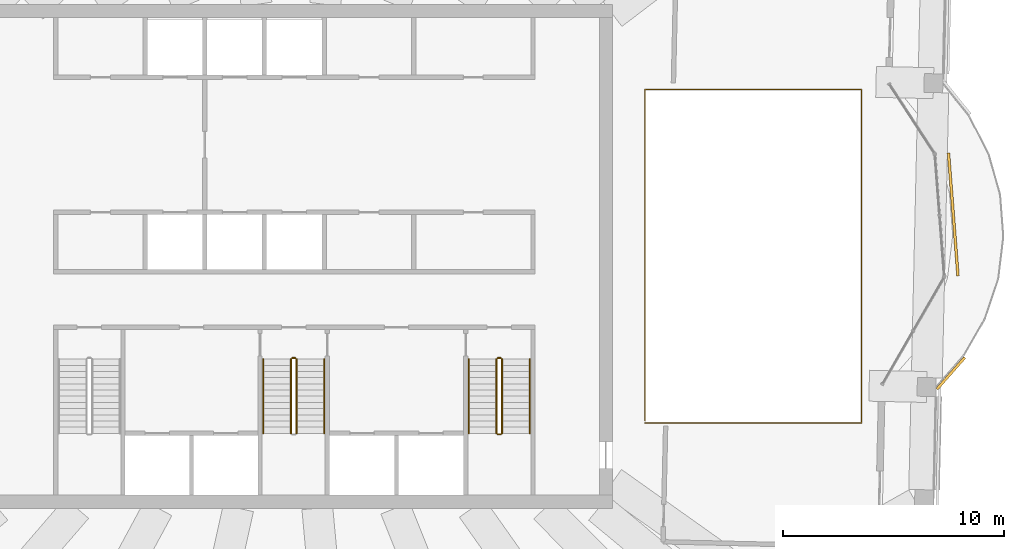
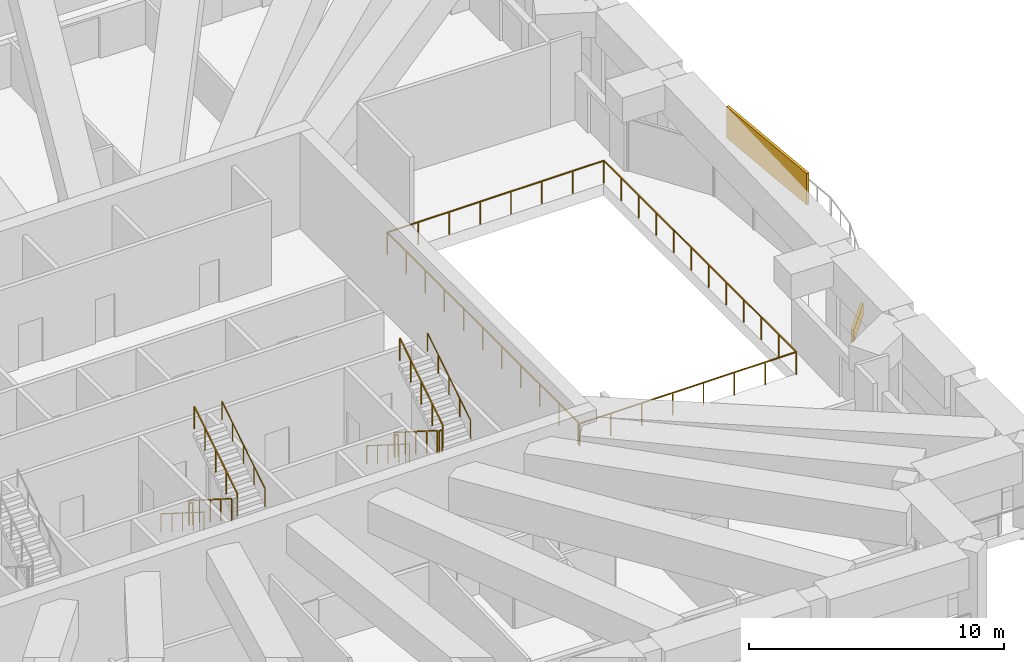
# One storey, part 18 of 21: 12 railings, 2 coverings.
"""IFC4 building model written with IfcOpenShell, lengths in metres."""

import ifcopenshell
import ifcopenshell.guid

model = None  # the IFC model being written
_history = None  # IfcOwnerHistory: only IFC2X3 demands one
_inside = {}  # id of a spatial element -> (the spatial element, [elements in it])
_under = {}  # id of a project, library or spatial element -> (it, [spatial elements below it])
_declared = {}  # id of a project -> (the project, [libraries it declares])
_typed = {}  # id of a type object -> (the type object, [elements of that type])
_made_of = {}  # id of a material, layer set ... -> (it, [elements and type objects made of it])


def new_model(schema):
    """Start an empty IFC model of exactly this schema.

    Asked for "IFC4X3", IfcOpenShell would pick the latest addendum, in which some entities
    have other attributes; the version numbers below select the first issue.
    IFC2X3 requires an IfcOwnerHistory on every rooted entity: one is made here for all.
    """
    global model, _history
    if schema == "IFC4X3":
        model = ifcopenshell.file(schema_version=(4, 3, 0, 0))
    else:
        model = ifcopenshell.file(schema=schema)
    _inside.clear()
    _under.clear()
    _declared.clear()
    _typed.clear()
    _made_of.clear()
    _history = None
    if model.schema == "IFC2X3":
        org = make("IfcOrganization", Name="unknown")
        user = make(
            "IfcPersonAndOrganization",
            ThePerson=make("IfcPerson", FamilyName="unknown"),
            TheOrganization=org,
        )
        app = make(
            "IfcApplication",
            ApplicationDeveloper=org,
            Version="unknown",
            ApplicationFullName="unknown",
            ApplicationIdentifier="unknown",
        )
        _history = make(
            "IfcOwnerHistory",
            OwningUser=user,
            OwningApplication=app,
            ChangeAction="ADDED",
            CreationDate=0,
        )
    return model


def make(cls, **values):
    """One entity of the class cls with the attributes given. An attribute that is None is left unset."""
    return model.create_entity(
        cls, **{name: value for name, value in values.items() if value is not None}
    )


def rooted(cls, **values):
    """An entity with a GlobalId (a new one), such as an element, a storey or a relation."""
    return make(cls, GlobalId=ifcopenshell.guid.new(), OwnerHistory=_history, **values)


def si_unit(unit_type, name, prefix=None):
    """IfcSIUnit, for example si_unit("LENGTHUNIT", "METRE", prefix="MILLI")."""
    return make("IfcSIUnit", UnitType=unit_type, Prefix=prefix, Name=name)


def assignment(units):
    """IfcUnitAssignment: the units of a project."""
    return None if units is None else make("IfcUnitAssignment", Units=units)


def point(xyz):
    """IfcCartesianPoint."""
    return None if xyz is None else make("IfcCartesianPoint", Coordinates=xyz)


def direction(xyz):
    """IfcDirection."""
    return None if xyz is None else make("IfcDirection", DirectionRatios=xyz)


def frame(location, z_axis=None, x_axis=None):
    """IfcAxis2Placement3D, a coordinate frame: its origin and axes. An axis left out is left unset."""
    return make(
        "IfcAxis2Placement3D",
        Location=point(location),
        Axis=direction(z_axis),
        RefDirection=direction(x_axis),
    )


def frame_2d(location, x_axis=None):
    """IfcAxis2Placement2D, a coordinate frame in the plane: its origin and x axis."""
    return make(
        "IfcAxis2Placement2D", Location=point(location), RefDirection=direction(x_axis)
    )


def origin():
    """The frame at (0, 0, 0) with its axes left unset."""
    return frame((0.0, 0.0, 0.0))


def origin_2d():
    """The frame at (0, 0) in the plane with its x axis left unset."""
    return frame_2d((0.0, 0.0))


def place(relative_to, where):
    """IfcLocalPlacement: puts the frame where relative to a parent placement (None: the world)."""
    return make(
        "IfcLocalPlacement", PlacementRelTo=relative_to, RelativePlacement=where
    )


def context(
    kind, dimensions, precision=None, world=None, true_north=None, identifier=None
):
    """IfcGeometricRepresentationContext, for example the 3D "Model" context."""
    return make(
        "IfcGeometricRepresentationContext",
        ContextIdentifier=identifier,
        ContextType=kind,
        CoordinateSpaceDimension=dimensions,
        Precision=precision,
        WorldCoordinateSystem=world,
        TrueNorth=true_north,
    )


def subcontext(parent, identifier, kind, view, scale=None):
    """IfcGeometricRepresentationSubContext, for example "Body" below "Model"."""
    return make(
        "IfcGeometricRepresentationSubContext",
        ContextIdentifier=identifier,
        ContextType=kind,
        ParentContext=parent,
        TargetScale=scale,
        TargetView=view,
    )


def project(units=None, contexts=None):
    """IfcProject with its units and contexts."""
    return rooted(
        "IfcProject",
        Name="project",
        RepresentationContexts=contexts,
        UnitsInContext=assignment(units),
    )


def spatial(cls, under=None, at=None, **own):
    """A site, building, storey or space (cls), placed at a placement, below another one or the project."""
    s = rooted(cls, ObjectPlacement=at, **own)
    if under is not None:
        _under.setdefault(under.id(), (under, []))[1].append(s)
    return s


def profile(cls, at=None, kind="AREA", **sizes):
    """A parametric profile (cls). Its sizes go by their IFC names, for example OverallWidth=200.0."""
    return make(cls, ProfileType=kind, Position=at, **sizes)


def rectangle(**sizes):
    """IfcRectangleProfileDef."""
    return profile("IfcRectangleProfileDef", **sizes)


def circle(**sizes):
    """IfcCircleProfileDef."""
    return profile("IfcCircleProfileDef", **sizes)


def extrude(swept, where, along, depth):
    """IfcExtrudedAreaSolid: the profile swept, set in the frame where, extruded along a direction by depth."""
    return make(
        "IfcExtrudedAreaSolid",
        SweptArea=swept,
        Position=where,
        ExtrudedDirection=direction(along),
        Depth=depth,
    )


def shape(context_of_items, identifier, shape_type, items):
    """IfcShapeRepresentation: the items that make up one representation, for example the "Body"."""
    return make(
        "IfcShapeRepresentation",
        ContextOfItems=context_of_items,
        RepresentationIdentifier=identifier,
        RepresentationType=shape_type,
        Items=items,
    )


def material(Name=None, Category=None):
    """IfcMaterial."""
    return make("IfcMaterial", Name=Name, Category=Category)


def layer(
    of_material, thickness, ventilated=None, Name=None, Category=None, Priority=None
):
    """IfcMaterialLayer: one layer of a wall or slab, of a material (None: an air gap)."""
    return make(
        "IfcMaterialLayer",
        Material=of_material,
        LayerThickness=thickness,
        IsVentilated=ventilated,
        Name=Name,
        Category=Category,
        Priority=Priority,
    )


def layer_set(layers, Name=None):
    """IfcMaterialLayerSet."""
    return make("IfcMaterialLayerSet", MaterialLayers=layers, LayerSetName=Name)


def made_of(thing, what):
    """Note that an element or type object is made of a material, layer set ...; save() writes the relation."""
    if what is not None:
        _made_of.setdefault(what.id(), (what, []))[1].append(thing)
    return thing


def type_object(cls, material=None, **own):
    """A type object (cls), such as IfcWallType, which elements share."""
    return made_of(rooted(cls, **own), material)


def element(
    cls,
    number,
    at=None,
    inside=None,
    cuts=None,
    type_object=None,
    material=None,
    context=None,
    identifier="Body",
    shape_type=None,
    held_by="IfcProductDefinitionShape",
    body=None,
    shapes=None,
    **own,
):
    """One element of the class cls, such as IfcWall. Its Tag is "e" and its number.

    at: its placement. inside: the storey or other place that contains it. cuts: it is an
    opening in that element (IfcRelVoidsElement). A single representation is given by context,
    identifier, shape_type and body (its items); several are given by shapes. held_by: the class
    of the entity that holds the representations. save() writes the other relations.
    """
    e = rooted(cls, Tag="e%d" % number, ObjectPlacement=at, **own)
    if body is not None:
        shapes = [shape(context, identifier, shape_type, body)]
    if shapes is not None:
        e.Representation = make(held_by, Representations=shapes)
    if inside is not None:
        _inside.setdefault(inside.id(), (inside, []))[1].append(e)
    if cuts is not None:
        rooted(
            "IfcRelVoidsElement", RelatingBuildingElement=cuts, RelatedOpeningElement=e
        )
    if type_object is not None:
        _typed.setdefault(type_object.id(), (type_object, []))[1].append(e)
    return made_of(e, material)


def aggregate(whole, parts):
    """IfcRelAggregates: a whole, such as a stair, and the parts it consists of."""
    return rooted("IfcRelAggregates", RelatingObject=whole, RelatedObjects=parts)


def save(model, path):
    """Write the relations noted so far, then the file.

    IfcRelAggregates (storeys below a building ...), IfcRelContainedInSpatialStructure (elements
    in a storey), IfcRelDefinesByType, IfcRelAssociatesMaterial and IfcRelDeclares: one each for
    every whole, place, type object, material and project.
    """
    for whole, parts in _under.values():
        aggregate(whole, parts)
    for where, things in _inside.values():
        rooted(
            "IfcRelContainedInSpatialStructure",
            RelatedElements=things,
            RelatingStructure=where,
        )
    for kind, things in _typed.values():
        rooted("IfcRelDefinesByType", RelatedObjects=things, RelatingType=kind)
    for what, things in _made_of.values():
        rooted("IfcRelAssociatesMaterial", RelatedObjects=things, RelatingMaterial=what)
    for by, libraries in _declared.values():
        rooted("IfcRelDeclares", RelatingContext=by, RelatedDefinitions=libraries)
    model.write(path)


model = new_model("IFC4")

# Units and contexts
model_context = context("Model", 3, precision=1e-05, world=origin(), true_north=direction((0.0, 1.0)))
body_context = subcontext(model_context, "Body", "Model", "MODEL_VIEW")
ifc_project = project(units=[si_unit("LENGTHUNIT", "METRE"), si_unit("AREAUNIT", "SQUARE_METRE"), si_unit("VOLUMEUNIT", "CUBIC_METRE"), si_unit("PLANEANGLEUNIT", "RADIAN"), si_unit("MASSUNIT", "GRAM", prefix="KILO")], contexts=[model_context])

# Site, building, storey
site_placement = place(None, origin())
site = spatial("IfcSite", under=ifc_project, at=site_placement, CompositionType="ELEMENT")
building_placement = place(site_placement, origin())
building = spatial("IfcBuilding", under=site, at=building_placement, Name="Mangrove Gate Tower", CompositionType="ELEMENT")
storey_placement = place(building_placement, frame((0.0, 0.0, 329.699951171875)))
storey = spatial("IfcBuildingStorey", under=building, at=storey_placement, Name="L84", CompositionType="ELEMENT", Elevation=329.699951171875)

# Railings
ifc_material_1 = material(Name="Stainless steel grade 316 with laminated glass infill", Category="steel")
railing_type_1 = type_object("IfcRailingType", Name="Balcony guard 1100", PredefinedType="GUARDRAIL", material=ifc_material_1)
railing_1_placement = place(storey_placement, frame((15.860107421875, -7.5400390625, 0.0)))
element("IfcRailing", 1, at=railing_1_placement, inside=storey, type_object=railing_type_1, Name="GUARD L84 atrium", PredefinedType="GUARDRAIL", context=body_context, shape_type="SweptSolid", body=[
    extrude(rectangle(XDim=0.048095703125, YDim=0.048095703125, at=origin_2d()), frame((0.0, 0.0, 1.076171875), z_axis=(1.0, 0.0, 0.0), x_axis=(0.0, 1.0, 0.0)), (0.0, 0.0, 1.0), 9.802978515625),
    extrude(rectangle(XDim=0.048095703125, YDim=0.048095703125, at=origin_2d()), frame((9.802978515625, 0.0, 1.076171875), z_axis=(0.0, 1.0, 0.0), x_axis=(-1.0, 0.0, 0.0)), (0.0, 0.0, 1.0), 15.080078125),
    extrude(rectangle(XDim=0.048095703125, YDim=0.048095703125, at=origin_2d()), frame((9.802978515625, 15.080078125, 1.076171875), z_axis=(-1.0, 0.0, 0.0), x_axis=(0.0, -1.0, 0.0)), (0.0, 0.0, 1.0), 9.802978515625),
    extrude(rectangle(XDim=0.048095703125, YDim=0.048095703125, at=origin_2d()), frame((0.0, 15.080078125, 1.076171875), z_axis=(0.0, -1.0, 0.0), x_axis=(1.0, 0.0, 0.0)), (0.0, 0.0, 1.0), 14.9599609375),
    extrude(rectangle(XDim=0.0419921875, YDim=0.0419921875, at=origin_2d()), origin(), (0.0, 0.0, 1.0), 1.052001953125),
    extrude(rectangle(XDim=0.0419921875, YDim=0.0419921875, at=origin_2d()), frame((1.400390625, 0.0, 0.0)), (0.0, 0.0, 1.0), 1.052001953125),
    extrude(rectangle(XDim=0.0419921875, YDim=0.0419921875, at=origin_2d()), frame((2.80078125, 0.0, 0.0)), (0.0, 0.0, 1.0), 1.052001953125),
    extrude(rectangle(XDim=0.0419921875, YDim=0.0419921875, at=origin_2d()), frame((4.201171875, 0.0, 0.0)), (0.0, 0.0, 1.0), 1.052001953125),
    extrude(rectangle(XDim=0.0419921875, YDim=0.0419921875, at=origin_2d()), frame((5.601806640625, 0.0, 0.0)), (0.0, 0.0, 1.0), 1.052001953125),
    extrude(rectangle(XDim=0.0419921875, YDim=0.0419921875, at=origin_2d()), frame((7.002197265625, 0.0, 0.0)), (0.0, 0.0, 1.0), 1.052001953125),
    extrude(rectangle(XDim=0.0419921875, YDim=0.0419921875, at=origin_2d()), frame((8.402587890625, 0.0, 0.0)), (0.0, 0.0, 1.0), 1.052001953125),
    extrude(rectangle(XDim=0.0419921875, YDim=0.0419921875, at=origin_2d()), frame((9.802978515625, 0.0, 0.0)), (0.0, 0.0, 1.0), 1.052001953125),
    extrude(rectangle(XDim=0.0419921875, YDim=0.0419921875, at=origin_2d()), frame((9.802978515625, 1.370849609375, 0.0)), (0.0, 0.0, 1.0), 1.052001953125),
    extrude(rectangle(XDim=0.0419921875, YDim=0.0419921875, at=origin_2d()), frame((9.802978515625, 2.741943359375, 0.0)), (0.0, 0.0, 1.0), 1.052001953125),
    extrude(rectangle(XDim=0.0419921875, YDim=0.0419921875, at=origin_2d()), frame((9.802978515625, 4.11279296875, 0.0)), (0.0, 0.0, 1.0), 1.052001953125),
    extrude(rectangle(XDim=0.0419921875, YDim=0.0419921875, at=origin_2d()), frame((9.802978515625, 5.483642578125, 0.0)), (0.0, 0.0, 1.0), 1.052001953125),
    extrude(rectangle(XDim=0.0419921875, YDim=0.0419921875, at=origin_2d()), frame((9.802978515625, 6.8544921875, 0.0)), (0.0, 0.0, 1.0), 1.052001953125),
    extrude(rectangle(XDim=0.0419921875, YDim=0.0419921875, at=origin_2d()), frame((9.802978515625, 8.2255859375, 0.0)), (0.0, 0.0, 1.0), 1.052001953125),
    extrude(rectangle(XDim=0.0419921875, YDim=0.0419921875, at=origin_2d()), frame((9.802978515625, 9.596435546875, 0.0)), (0.0, 0.0, 1.0), 1.052001953125),
    extrude(rectangle(XDim=0.0419921875, YDim=0.0419921875, at=origin_2d()), frame((9.802978515625, 10.96728515625, 0.0)), (0.0, 0.0, 1.0), 1.052001953125),
    extrude(rectangle(XDim=0.0419921875, YDim=0.0419921875, at=origin_2d()), frame((9.802978515625, 12.338134765625, 0.0)), (0.0, 0.0, 1.0), 1.052001953125),
    extrude(rectangle(XDim=0.0419921875, YDim=0.0419921875, at=origin_2d()), frame((9.802978515625, 13.709228515625, 0.0)), (0.0, 0.0, 1.0), 1.052001953125),
    extrude(rectangle(XDim=0.0419921875, YDim=0.0419921875, at=origin_2d()), frame((9.802978515625, 15.080078125, 0.0)), (0.0, 0.0, 1.0), 1.052001953125),
    extrude(rectangle(XDim=0.0419921875, YDim=0.0419921875, at=origin_2d()), frame((8.402587890625, 15.080078125, 0.0)), (0.0, 0.0, 1.0), 1.052001953125),
    extrude(rectangle(XDim=0.0419921875, YDim=0.0419921875, at=origin_2d()), frame((7.002197265625, 15.080078125, 0.0)), (0.0, 0.0, 1.0), 1.052001953125),
    extrude(rectangle(XDim=0.0419921875, YDim=0.0419921875, at=origin_2d()), frame((5.601806640625, 15.080078125, 0.0)), (0.0, 0.0, 1.0), 1.052001953125),
    extrude(rectangle(XDim=0.0419921875, YDim=0.0419921875, at=origin_2d()), frame((4.201171875, 15.080078125, 0.0)), (0.0, 0.0, 1.0), 1.052001953125),
    extrude(rectangle(XDim=0.0419921875, YDim=0.0419921875, at=origin_2d()), frame((2.80078125, 15.080078125, 0.0)), (0.0, 0.0, 1.0), 1.052001953125),
    extrude(rectangle(XDim=0.0419921875, YDim=0.0419921875, at=origin_2d()), frame((1.400390625, 15.080078125, 0.0)), (0.0, 0.0, 1.0), 1.052001953125),
    extrude(rectangle(XDim=0.0419921875, YDim=0.0419921875, at=origin_2d()), frame((0.0, 15.080078125, 0.0)), (0.0, 0.0, 1.0), 1.052001953125),
    extrude(rectangle(XDim=0.0419921875, YDim=0.0419921875, at=origin_2d()), frame((0.0, 13.583984375, 0.0)), (0.0, 0.0, 1.0), 1.052001953125),
    extrude(rectangle(XDim=0.0419921875, YDim=0.0419921875, at=origin_2d()), frame((0.0, 12.088134765625, 0.0)), (0.0, 0.0, 1.0), 1.052001953125),
    extrude(rectangle(XDim=0.0419921875, YDim=0.0419921875, at=origin_2d()), frame((0.0, 10.592041015625, 0.0)), (0.0, 0.0, 1.0), 1.052001953125),
    extrude(rectangle(XDim=0.0419921875, YDim=0.0419921875, at=origin_2d()), frame((0.0, 9.09619140625, 0.0)), (0.0, 0.0, 1.0), 1.052001953125),
    extrude(rectangle(XDim=0.0419921875, YDim=0.0419921875, at=origin_2d()), frame((0.0, 7.60009765625, 0.0)), (0.0, 0.0, 1.0), 1.052001953125),
    extrude(rectangle(XDim=0.0419921875, YDim=0.0419921875, at=origin_2d()), frame((0.0, 6.10400390625, 0.0)), (0.0, 0.0, 1.0), 1.052001953125),
    extrude(rectangle(XDim=0.0419921875, YDim=0.0419921875, at=origin_2d()), frame((0.0, 4.608154296875, 0.0)), (0.0, 0.0, 1.0), 1.052001953125),
    extrude(rectangle(XDim=0.0419921875, YDim=0.0419921875, at=origin_2d()), frame((0.0, 3.112060546875, 0.0)), (0.0, 0.0, 1.0), 1.052001953125),
    extrude(rectangle(XDim=0.0419921875, YDim=0.0419921875, at=origin_2d()), frame((0.0, 1.6162109375, 0.0)), (0.0, 0.0, 1.0), 1.052001953125),
    extrude(rectangle(XDim=0.0419921875, YDim=0.0419921875, at=origin_2d()), frame((0.0, 0.1201171875, 0.0)), (0.0, 0.0, 1.0), 1.052001953125),
])
ifc_material_2 = material(Name="Stainless steel 316", Category="steel")
railing_type_2 = type_object("IfcRailingType", Name="Core stair guard 1100", PredefinedType="GUARDRAIL", material=ifc_material_2)
railing_2_placement = place(storey_placement, frame((-0.14990234375, -4.64990234375, 0.177001953125)))
element("IfcRailing", 2, at=railing_2_placement, inside=storey, type_object=railing_type_2, Name="L84 ST2 stair guard 1", PredefinedType="GUARDRAIL", context=body_context, shape_type="SweptSolid", body=[
    extrude(rectangle(XDim=0.048095703125, YDim=0.048095703125, at=origin_2d()), frame((0.0, 0.0, 1.076171875), z_axis=(0.0, -0.845389635667, 0.534150132366), x_axis=(1.0, 0.0, 0.0)), (0.0, 0.0, 1.0), 3.974609375),
    extrude(rectangle(XDim=0.0419921875, YDim=0.0419921875, at=origin_2d()), origin(), (0.0, 0.0, 1.0), 1.052001953125),
    extrude(rectangle(XDim=0.0419921875, YDim=0.0419921875, at=origin_2d()), frame((0.0, -0.840087890625, 0.53076171875)), (0.0, 0.0, 1.0), 1.052001953125),
    extrude(rectangle(XDim=0.0419921875, YDim=0.0419921875, at=origin_2d()), frame((0.0, -1.68017578125, 1.0615234375)), (0.0, 0.0, 1.0), 1.052001953125),
    extrude(rectangle(XDim=0.0419921875, YDim=0.0419921875, at=origin_2d()), frame((0.0, -2.52001953125, 1.59228515625)), (0.0, 0.0, 1.0), 1.052001953125),
    extrude(rectangle(XDim=0.0419921875, YDim=0.0419921875, at=origin_2d()), frame((0.0, -3.360107421875, 2.123046875)), (0.0, 0.0, 1.0), 1.052001953125),
])
railing_3_placement = place(storey_placement, frame((0.10009765625, -8.010009765625, 2.47705078125)))
element("IfcRailing", 3, at=railing_3_placement, inside=storey, type_object=railing_type_2, Name="L84 ST2 stair guard 3", PredefinedType="GUARDRAIL", context=body_context, shape_type="SweptSolid", body=[
    extrude(rectangle(XDim=0.048095703125, YDim=0.048095703125, at=origin_2d()), frame((0.0, 0.0, 1.076171875), z_axis=(0.0, 0.845389635667, 0.534150132366), x_axis=(-1.0, 0.0, 0.0)), (0.0, 0.0, 1.0), 3.974609375),
    extrude(rectangle(XDim=0.0419921875, YDim=0.0419921875, at=origin_2d()), origin(), (0.0, 0.0, 1.0), 1.052001953125),
    extrude(rectangle(XDim=0.0419921875, YDim=0.0419921875, at=origin_2d()), frame((0.0, 0.840087890625, 0.53076171875)), (0.0, 0.0, 1.0), 1.052001953125),
    extrude(rectangle(XDim=0.0419921875, YDim=0.0419921875, at=origin_2d()), frame((0.0, 1.68017578125, 1.0615234375)), (0.0, 0.0, 1.0), 1.052001953125),
    extrude(rectangle(XDim=0.0419921875, YDim=0.0419921875, at=origin_2d()), frame((0.0, 2.52001953125, 1.59228515625)), (0.0, 0.0, 1.0), 1.052001953125),
    extrude(rectangle(XDim=0.0419921875, YDim=0.0419921875, at=origin_2d()), frame((0.0, 3.360107421875, 2.123046875)), (0.0, 0.0, 1.0), 1.052001953125),
])
railing_4_placement = place(storey_placement, frame((-0.10009765625, -4.60009765625, 0.0)))
element("IfcRailing", 4, at=railing_4_placement, inside=storey, type_object=railing_type_2, Name="L84 ST2 stair guard 4", PredefinedType="GUARDRAIL", context=body_context, shape_type="SweptSolid", body=[
    extrude(rectangle(XDim=0.048095703125, YDim=0.048095703125, at=origin_2d()), frame((0.0, 0.0, 1.076171875), z_axis=(1.0, 0.0, 0.0), x_axis=(0.0, 1.0, 0.0)), (0.0, 0.0, 1.0), 0.150146484375),
    extrude(rectangle(XDim=0.0419921875, YDim=0.0419921875, at=origin_2d()), origin(), (0.0, 0.0, 1.0), 1.052001953125),
    extrude(rectangle(XDim=0.0419921875, YDim=0.0419921875, at=origin_2d()), frame((0.150146484375, 0.0, 0.0)), (0.0, 0.0, 1.0), 1.052001953125),
])
railing_5_placement = place(storey_placement, frame((9.14990234375, -4.64990234375, 0.177001953125)))
element("IfcRailing", 5, at=railing_5_placement, inside=storey, type_object=railing_type_2, Name="L84 ST3 stair guard 1", PredefinedType="GUARDRAIL", context=body_context, shape_type="SweptSolid", body=[
    extrude(rectangle(XDim=0.048095703125, YDim=0.048095703125, at=origin_2d()), frame((0.0, 0.0, 1.076171875), z_axis=(0.0, -0.845389635667, 0.534150132366), x_axis=(1.0, 0.0, 0.0)), (0.0, 0.0, 1.0), 3.974609375),
    extrude(rectangle(XDim=0.0419921875, YDim=0.0419921875, at=origin_2d()), origin(), (0.0, 0.0, 1.0), 1.052001953125),
    extrude(rectangle(XDim=0.0419921875, YDim=0.0419921875, at=origin_2d()), frame((0.0, -0.840087890625, 0.53076171875)), (0.0, 0.0, 1.0), 1.052001953125),
    extrude(rectangle(XDim=0.0419921875, YDim=0.0419921875, at=origin_2d()), frame((0.0, -1.68017578125, 1.0615234375)), (0.0, 0.0, 1.0), 1.052001953125),
    extrude(rectangle(XDim=0.0419921875, YDim=0.0419921875, at=origin_2d()), frame((0.0, -2.52001953125, 1.59228515625)), (0.0, 0.0, 1.0), 1.052001953125),
    extrude(rectangle(XDim=0.0419921875, YDim=0.0419921875, at=origin_2d()), frame((0.0, -3.360107421875, 2.123046875)), (0.0, 0.0, 1.0), 1.052001953125),
])
railing_6_placement = place(storey_placement, frame((9.199951171875, -8.06005859375, 2.300048828125)))
element("IfcRailing", 6, at=railing_6_placement, inside=storey, type_object=railing_type_2, Name="L84 ST3 stair guard 2", PredefinedType="GUARDRAIL", context=body_context, shape_type="SweptSolid", body=[
    extrude(rectangle(XDim=0.048095703125, YDim=0.048095703125, at=origin_2d()), frame((0.0, 0.0, 1.076171875), z_axis=(1.0, 0.0, 0.0), x_axis=(0.0, 1.0, 0.0)), (0.0, 0.0, 1.0), 0.150146484375),
    extrude(rectangle(XDim=0.0419921875, YDim=0.0419921875, at=origin_2d()), origin(), (0.0, 0.0, 1.0), 1.052001953125),
    extrude(rectangle(XDim=0.0419921875, YDim=0.0419921875, at=origin_2d()), frame((0.150146484375, 0.0, 0.0)), (0.0, 0.0, 1.0), 1.052001953125),
])
railing_7_placement = place(storey_placement, frame((9.39990234375, -8.010009765625, 2.47705078125)))
element("IfcRailing", 7, at=railing_7_placement, inside=storey, type_object=railing_type_2, Name="L84 ST3 stair guard 3", PredefinedType="GUARDRAIL", context=body_context, shape_type="SweptSolid", body=[
    extrude(rectangle(XDim=0.048095703125, YDim=0.048095703125, at=origin_2d()), frame((0.0, 0.0, 1.076171875), z_axis=(0.0, 0.845389635667, 0.534150132366), x_axis=(-1.0, 0.0, 0.0)), (0.0, 0.0, 1.0), 3.974609375),
    extrude(rectangle(XDim=0.0419921875, YDim=0.0419921875, at=origin_2d()), origin(), (0.0, 0.0, 1.0), 1.052001953125),
    extrude(rectangle(XDim=0.0419921875, YDim=0.0419921875, at=origin_2d()), frame((0.0, 0.840087890625, 0.53076171875)), (0.0, 0.0, 1.0), 1.052001953125),
    extrude(rectangle(XDim=0.0419921875, YDim=0.0419921875, at=origin_2d()), frame((0.0, 1.68017578125, 1.0615234375)), (0.0, 0.0, 1.0), 1.052001953125),
    extrude(rectangle(XDim=0.0419921875, YDim=0.0419921875, at=origin_2d()), frame((0.0, 2.52001953125, 1.59228515625)), (0.0, 0.0, 1.0), 1.052001953125),
    extrude(rectangle(XDim=0.0419921875, YDim=0.0419921875, at=origin_2d()), frame((0.0, 3.360107421875, 2.123046875)), (0.0, 0.0, 1.0), 1.052001953125),
])
railing_8_placement = place(storey_placement, frame((9.199951171875, -4.60009765625, 0.0)))
element("IfcRailing", 8, at=railing_8_placement, inside=storey, type_object=railing_type_2, Name="L84 ST3 stair guard 4", PredefinedType="GUARDRAIL", context=body_context, shape_type="SweptSolid", body=[
    extrude(rectangle(XDim=0.048095703125, YDim=0.048095703125, at=origin_2d()), frame((0.0, 0.0, 1.076171875), z_axis=(1.0, 0.0, 0.0), x_axis=(0.0, 1.0, 0.0)), (0.0, 0.0, 1.0), 0.150146484375),
    extrude(rectangle(XDim=0.0419921875, YDim=0.0419921875, at=origin_2d()), origin(), (0.0, 0.0, 1.0), 1.052001953125),
    extrude(rectangle(XDim=0.0419921875, YDim=0.0419921875, at=origin_2d()), frame((0.150146484375, 0.0, 0.0)), (0.0, 0.0, 1.0), 1.052001953125),
])
ifc_material_3 = material(Name="Stainless steel 316", Category="steel")
railing_type_3 = type_object("IfcRailingType", Name="Core stair handrail 900", PredefinedType="HANDRAIL", material=ifc_material_3)
railing_9_placement = place(storey_placement, frame((-1.39990234375, -4.64990234375, 0.177001953125)))
element("IfcRailing", 9, at=railing_9_placement, inside=storey, type_object=railing_type_3, Name="L84 ST2 stair handrail 1", PredefinedType="HANDRAIL", context=body_context, shape_type="SweptSolid", body=[
    extrude(circle(Radius=0.02392578125, at=origin_2d()), frame((0.0, 0.0, 0.8759765625), z_axis=(0.0, -0.845389635667, 0.534150132366), x_axis=(1.0, 0.0, 0.0)), (0.0, 0.0, 1.0), 3.974609375),
    extrude(circle(Radius=0.02099609375, at=origin_2d()), origin(), (0.0, 0.0, 1.0), 0.851806640625),
    extrude(circle(Radius=0.02099609375, at=origin_2d()), frame((0.0, -0.840087890625, 0.53076171875)), (0.0, 0.0, 1.0), 0.851806640625),
    extrude(circle(Radius=0.02099609375, at=origin_2d()), frame((0.0, -1.68017578125, 1.0615234375)), (0.0, 0.0, 1.0), 0.851806640625),
    extrude(circle(Radius=0.02099609375, at=origin_2d()), frame((0.0, -2.52001953125, 1.59228515625)), (0.0, 0.0, 1.0), 0.851806640625),
    extrude(circle(Radius=0.02099609375, at=origin_2d()), frame((0.0, -3.360107421875, 2.123046875)), (0.0, 0.0, 1.0), 0.851806640625),
])
railing_10_placement = place(storey_placement, frame((1.35009765625, -8.010009765625, 2.47705078125)))
element("IfcRailing", 10, at=railing_10_placement, inside=storey, type_object=railing_type_3, Name="L84 ST2 stair handrail 2", PredefinedType="HANDRAIL", context=body_context, shape_type="SweptSolid", body=[
    extrude(circle(Radius=0.02392578125, at=origin_2d()), frame((0.0, 0.0, 0.8759765625), z_axis=(0.0, 0.845389635667, 0.534150132366), x_axis=(-1.0, 0.0, 0.0)), (0.0, 0.0, 1.0), 3.974609375),
    extrude(circle(Radius=0.02099609375, at=origin_2d()), origin(), (0.0, 0.0, 1.0), 0.851806640625),
    extrude(circle(Radius=0.02099609375, at=origin_2d()), frame((0.0, 0.840087890625, 0.53076171875)), (0.0, 0.0, 1.0), 0.851806640625),
    extrude(circle(Radius=0.02099609375, at=origin_2d()), frame((0.0, 1.68017578125, 1.0615234375)), (0.0, 0.0, 1.0), 0.851806640625),
    extrude(circle(Radius=0.02099609375, at=origin_2d()), frame((0.0, 2.52001953125, 1.59228515625)), (0.0, 0.0, 1.0), 0.851806640625),
    extrude(circle(Radius=0.02099609375, at=origin_2d()), frame((0.0, 3.360107421875, 2.123046875)), (0.0, 0.0, 1.0), 0.851806640625),
])
railing_11_placement = place(storey_placement, frame((7.89990234375, -4.64990234375, 0.177001953125)))
element("IfcRailing", 11, at=railing_11_placement, inside=storey, type_object=railing_type_3, Name="L84 ST3 stair handrail 1", PredefinedType="HANDRAIL", context=body_context, shape_type="SweptSolid", body=[
    extrude(circle(Radius=0.02392578125, at=origin_2d()), frame((0.0, 0.0, 0.8759765625), z_axis=(0.0, -0.845389635667, 0.534150132366), x_axis=(1.0, 0.0, 0.0)), (0.0, 0.0, 1.0), 3.974609375),
    extrude(circle(Radius=0.02099609375, at=origin_2d()), origin(), (0.0, 0.0, 1.0), 0.851806640625),
    extrude(circle(Radius=0.02099609375, at=origin_2d()), frame((0.0, -0.840087890625, 0.53076171875)), (0.0, 0.0, 1.0), 0.851806640625),
    extrude(circle(Radius=0.02099609375, at=origin_2d()), frame((0.0, -1.68017578125, 1.0615234375)), (0.0, 0.0, 1.0), 0.851806640625),
    extrude(circle(Radius=0.02099609375, at=origin_2d()), frame((0.0, -2.52001953125, 1.59228515625)), (0.0, 0.0, 1.0), 0.851806640625),
    extrude(circle(Radius=0.02099609375, at=origin_2d()), frame((0.0, -3.360107421875, 2.123046875)), (0.0, 0.0, 1.0), 0.851806640625),
])
railing_12_placement = place(storey_placement, frame((10.64990234375, -8.010009765625, 2.47705078125)))
element("IfcRailing", 12, at=railing_12_placement, inside=storey, type_object=railing_type_3, Name="L84 ST3 stair handrail 2", PredefinedType="HANDRAIL", context=body_context, shape_type="SweptSolid", body=[
    extrude(circle(Radius=0.02392578125, at=origin_2d()), frame((0.0, 0.0, 0.8759765625), z_axis=(0.0, 0.845389635667, 0.534150132366), x_axis=(-1.0, 0.0, 0.0)), (0.0, 0.0, 1.0), 3.974609375),
    extrude(circle(Radius=0.02099609375, at=origin_2d()), origin(), (0.0, 0.0, 1.0), 0.851806640625),
    extrude(circle(Radius=0.02099609375, at=origin_2d()), frame((0.0, 0.840087890625, 0.53076171875)), (0.0, 0.0, 1.0), 0.851806640625),
    extrude(circle(Radius=0.02099609375, at=origin_2d()), frame((0.0, 1.68017578125, 1.0615234375)), (0.0, 0.0, 1.0), 0.851806640625),
    extrude(circle(Radius=0.02099609375, at=origin_2d()), frame((0.0, 2.52001953125, 1.59228515625)), (0.0, 0.0, 1.0), 0.851806640625),
    extrude(circle(Radius=0.02099609375, at=origin_2d()), frame((0.0, 3.360107421875, 2.123046875)), (0.0, 0.0, 1.0), 0.851806640625),
])

# Coverings
ifc_material_4 = material(Name="Limestone", Category="masonry")
ifc_layer_1 = layer(ifc_material_4, 0.0400390625, Name="Limestone cladding")
ifc_material_5 = material(Name="Stainless steel anchors and cavity", Category="steel")
ifc_layer_2 = layer(ifc_material_5, 0.080078125, Name="Fixing cavity")
ifc_layer_set = layer_set([ifc_layer_1, ifc_layer_2], Name="Joint fascia cladding 120")
covering_type = type_object("IfcCoveringType", Name="Joint fascia cladding 120", PredefinedType="CLADDING", material=ifc_layer_set)
covering_1_placement = place(storey_placement, frame((30.031005859375, -0.8798828125, 2.550048828125), z_axis=(0.0, 0.0, 1.0), x_axis=(-0.076964476481, 0.997033835614, 0.0)))
element("IfcCovering", 13, at=covering_1_placement, inside=storey, type_object=covering_type, Name="STONE FASCIA L84 E1.L1", PredefinedType="CLADDING", context=body_context, shape_type="SweptSolid", body=[
    extrude(rectangle(XDim=5.573486328125, YDim=0.1201171875, at=frame_2d((2.78662109375, 0.0))), origin(), (0.0, 0.0, 1.0), 1.5),
])
covering_2_placement = place(storey_placement, frame((30.333984375, -4.5830078125, -0.599853515625), z_axis=(0.0, 0.0, 1.0), x_axis=(-0.660367195698, -0.750942851917, 0.0)))
element("IfcCovering", 14, at=covering_2_placement, inside=storey, type_object=covering_type, Name="STONE FASCIA L84 TB111-5.3", PredefinedType="CLADDING", context=body_context, shape_type="SweptSolid", body=[
    extrude(rectangle(XDim=1.900390625, YDim=0.1201171875, at=frame_2d((0.9501953125, 0.0))), origin(), (0.0, 0.0, 1.0), 0.599853515625),
])

save(model, "model.ifc")
